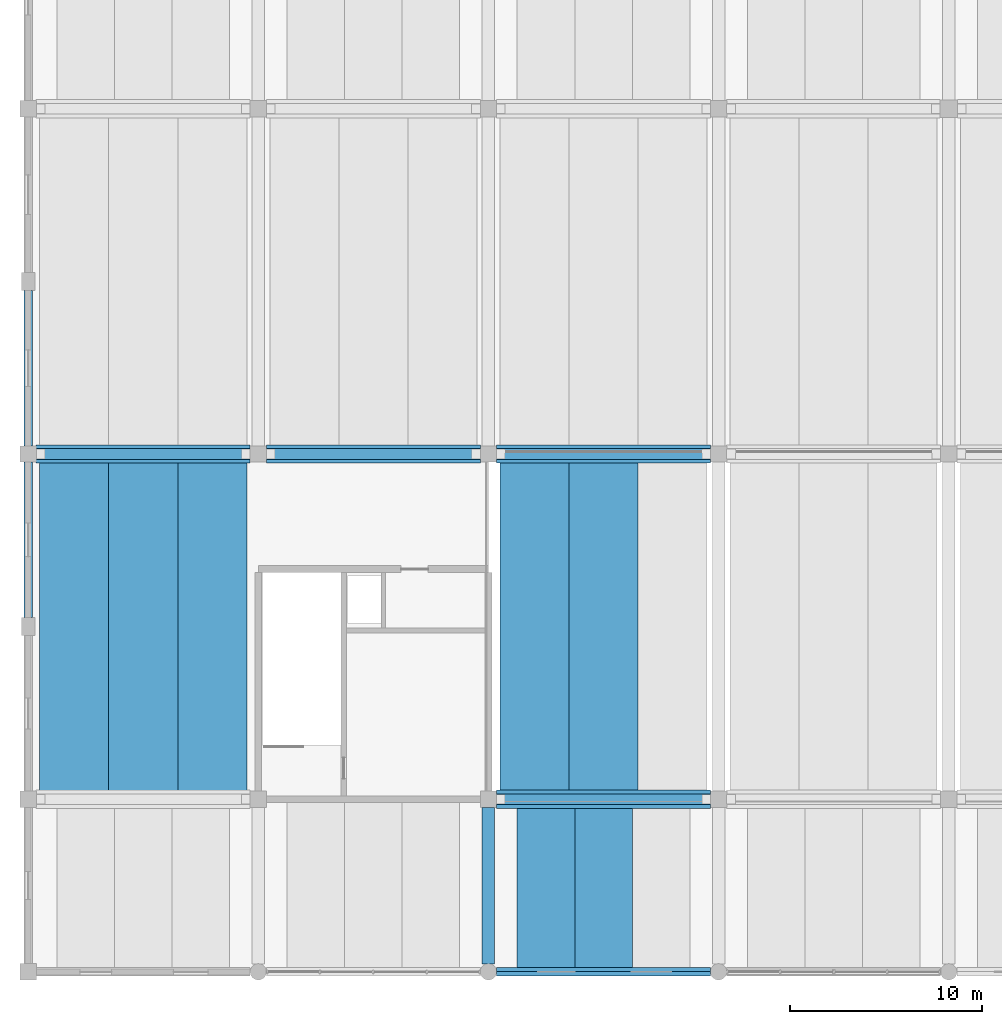
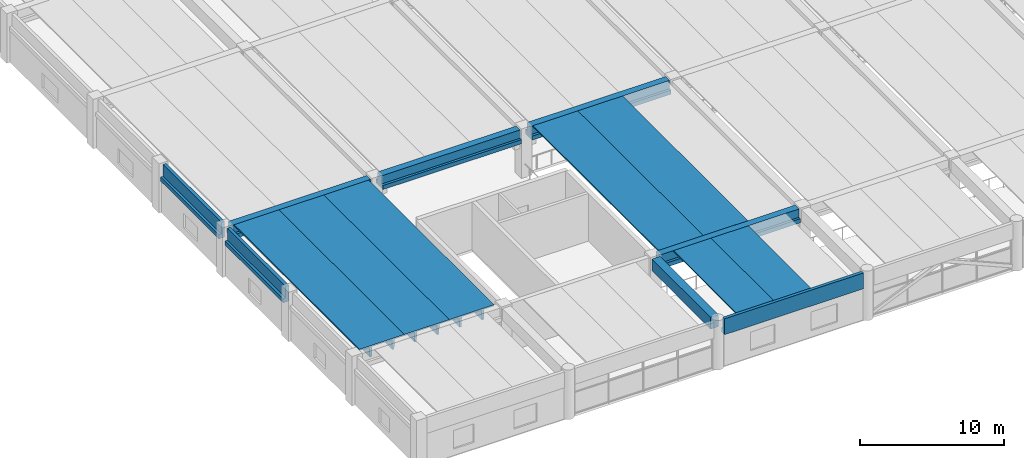
# One storey, part 5 of 50: 15 beams.
"""IFC4 building model written with IfcOpenShell, lengths in metres."""

from ifc_helpers import new_model, si_unit, direction, frame, origin, origin_2d, place, context, subcontext, project, spatial, polyline, rectangle, outline, extrude, material, material_profile, profile_set, type_object, element, save


model = new_model("IFC4")

# Units and contexts
model_context = context("Model", 3, precision=1e-05, world=origin(), true_north=direction((0.0, 1.0)))
body_context = subcontext(model_context, "Body", "Model", "MODEL_VIEW")
ifc_project = project(units=[si_unit("LENGTHUNIT", "METRE"), si_unit("AREAUNIT", "SQUARE_METRE"), si_unit("VOLUMEUNIT", "CUBIC_METRE"), si_unit("PLANEANGLEUNIT", "RADIAN"), si_unit("MASSUNIT", "GRAM", prefix="KILO")], contexts=[model_context])

# Site, building, storey
site_placement = place(None, origin())
site = spatial("IfcSite", under=ifc_project, at=site_placement, CompositionType="ELEMENT")
building_placement = place(site_placement, origin())
building = spatial("IfcBuilding", under=site, at=building_placement, Name="Girod Span Mobility Hub", CompositionType="ELEMENT")
storey_placement = place(building_placement, frame((0.0, 0.0, 5.39990234375)))
storey = spatial("IfcBuildingStorey", under=building, at=storey_placement, Name="L01", CompositionType="ELEMENT", Elevation=5.39990234375)

# Beams
ifc_material_1 = material(Name="Concrete C50/60", Category="concrete")
ifc_material_profile_1 = material_profile(ifc_material_1, outline(polyline([(-1.5, 0.35009765625), (-1.5, 0.2548828125), (-0.840087890625, 0.2548828125), (-0.81494140625, -0.35009765625), (-0.68505859375, -0.35009765625), (-0.659912109375, 0.2548828125), (0.659912109375, 0.2548828125), (0.68505859375, -0.35009765625), (0.81494140625, -0.35009765625), (0.840087890625, 0.2548828125), (1.5, 0.2548828125), (1.5, 0.35009765625), (-1.5, 0.35009765625)])), Name="DT-3000X700")
ifc_profile_set_1 = profile_set([ifc_material_profile_1], Name="Concrete C50/60")
beam_type_1 = type_object("IfcBeamType", Name="BM-DT-3000X700", PredefinedType="JOIST", material=ifc_profile_set_1)
for number, where, z_axis, x_axis, name in (
    (1, (27.0, 0.02197265625, 3.690185546875), (0.0, 1.0, 0.0), (-1.0, 0.0, 0.0), "Double-Tee Deck 3/A-1 L01"),
    (2, (30.0, 0.02197265625, 3.690185546875), (0.0, 1.0, 0.0), (-1.0, 0.0, 0.0), "Double-Tee Deck 3/A-2 L01"),
):
    element("IfcBeam", number, at=place(storey_placement, frame(where, z_axis=z_axis, x_axis=x_axis)), inside=storey, type_object=beam_type_1, Name=name, PredefinedType="JOIST", context=body_context, shape_type="SweptSolid", body=[
        extrude(outline(polyline([(-1.5, 0.35009765625), (-1.5, 0.2548828125), (-0.840087890625, 0.2548828125), (-0.81494140625, -0.35009765625), (-0.68505859375, -0.35009765625), (-0.659912109375, 0.2548828125), (0.659912109375, 0.2548828125), (0.68505859375, -0.35009765625), (0.81494140625, -0.35009765625), (0.840087890625, 0.2548828125), (1.5, 0.2548828125), (1.5, 0.35009765625), (-1.5, 0.35009765625)])), origin(), (0.0, 0.0, 1.0), 8.7060546875),
    ])
ifc_material_2 = material(Name="Concrete C50/60", Category="concrete")
ifc_material_profile_2 = material_profile(ifc_material_2, outline(polyline([(-1.800048828125, 0.47509765625), (-1.800048828125, 0.364990234375), (-1.010009765625, 0.364990234375), (-0.97509765625, -0.47509765625), (-0.824951171875, -0.47509765625), (-0.7900390625, 0.364990234375), (0.7900390625, 0.364990234375), (0.824951171875, -0.47509765625), (0.97509765625, -0.47509765625), (1.010009765625, 0.364990234375), (1.800048828125, 0.364990234375), (1.800048828125, 0.47509765625), (-1.800048828125, 0.47509765625)])), Name="DT-3600X950")
ifc_profile_set_2 = profile_set([ifc_material_profile_2], Name="Concrete C50/60")
beam_type_2 = type_object("IfcBeamType", Name="BM-DT-3600X950", PredefinedType="JOIST", material=ifc_profile_set_2)
for number, where, z_axis, x_axis, name in (
    (3, (2.39990234375, 9.27197265625, 3.565185546875), (0.0, 1.0, 0.0), (-1.0, 0.0, 0.0), "Double-Tee Deck 1/B-1 L01"),
    (4, (6.0, 9.27197265625, 3.565185546875), (0.0, 1.0, 0.0), (-1.0, 0.0, 0.0), "Double-Tee Deck 1/B-2 L01"),
    (5, (9.60009765625, 9.27197265625, 3.565185546875), (0.0, 1.0, 0.0), (-1.0, 0.0, 0.0), "Double-Tee Deck 1/B-3 L01"),
    (6, (26.39990234375, 9.27197265625, 3.565185546875), (0.0, 1.0, 0.0), (-1.0, 0.0, 0.0), "Double-Tee Deck 3/B-1 L01"),
    (7, (30.0, 9.27197265625, 3.565185546875), (0.0, 1.0, 0.0), (-1.0, 0.0, 0.0), "Double-Tee Deck 3/B-2 L01"),
):
    element("IfcBeam", number, at=place(storey_placement, frame(where, z_axis=z_axis, x_axis=x_axis)), inside=storey, type_object=beam_type_2, Name=name, PredefinedType="JOIST", context=body_context, shape_type="SweptSolid", body=[
        extrude(outline(polyline([(-1.800048828125, 0.47509765625), (-1.800048828125, 0.364990234375), (-1.010009765625, 0.364990234375), (-0.97509765625, -0.47509765625), (-0.824951171875, -0.47509765625), (-0.7900390625, 0.364990234375), (0.7900390625, 0.364990234375), (0.824951171875, -0.47509765625), (0.97509765625, -0.47509765625), (1.010009765625, 0.364990234375), (1.800048828125, 0.364990234375), (1.800048828125, 0.47509765625), (-1.800048828125, 0.47509765625)])), origin(), (0.0, 0.0, 1.0), 17.4560546875),
    ])
ifc_material_3 = material(Name="Concrete C50/60", Category="concrete")
ifc_material_profile_3 = material_profile(ifc_material_3, outline(polyline([(-0.47509765625, -0.52490234375), (0.47509765625, -0.52490234375), (0.47509765625, -0.175048828125), (0.27490234375, -0.175048828125), (0.27490234375, 0.52490234375), (-0.27490234375, 0.52490234375), (-0.27490234375, -0.175048828125), (-0.47509765625, -0.175048828125), (-0.47509765625, -0.52490234375)])), Name="IT-950X1050")
ifc_profile_set_3 = profile_set([ifc_material_profile_3], Name="Concrete C50/60")
beam_type_3 = type_object("IfcBeamType", Name="BM-IT-950X1050", PredefinedType="T_BEAM", material=ifc_profile_set_3)
for number, where, z_axis, x_axis, name in (
    (8, (24.422119140625, 9.0, 3.51513671875), (1.0, 0.0, 0.0), (0.0, 1.0, 0.0), "Girder 3-4/B L01"),
    (9, (0.422119140625, 27.0, 3.51513671875), (1.0, 0.0, 0.0), (0.0, 1.0, 0.0), "Girder 1-2/C L01"),
    (10, (12.422119140625, 27.0, 3.51513671875), (1.0, 0.0, 0.0), (0.0, 1.0, 0.0), "Girder 2-3/C L01"),
    (11, (24.422119140625, 27.0, 3.51513671875), (1.0, 0.0, 0.0), (0.0, 1.0, 0.0), "Girder 3-4/C L01"),
):
    element("IfcBeam", number, at=place(storey_placement, frame(where, z_axis=z_axis, x_axis=x_axis)), inside=storey, type_object=beam_type_3, Name=name, PredefinedType="T_BEAM", context=body_context, shape_type="SweptSolid", body=[
        extrude(outline(polyline([(-0.47509765625, -0.52490234375), (0.47509765625, -0.52490234375), (0.47509765625, -0.175048828125), (0.27490234375, -0.175048828125), (0.27490234375, 0.52490234375), (-0.27490234375, 0.52490234375), (-0.27490234375, -0.175048828125), (-0.47509765625, -0.175048828125), (-0.47509765625, -0.52490234375)])), origin(), (0.0, 0.0, 1.0), 11.15576171875),
    ])
ifc_material_4 = material(Name="Concrete C40/50", Category="concrete")
ifc_material_profile_4 = material_profile(ifc_material_4, outline(polyline([(-0.22509765625, -0.675048828125), (0.22509765625, -0.675048828125), (0.22509765625, -0.324951171875), (0.02490234375, -0.324951171875), (0.02490234375, 0.675048828125), (-0.22509765625, 0.675048828125), (-0.22509765625, -0.675048828125)])), Name="SP-450X1350")
ifc_profile_set_4 = profile_set([ifc_material_profile_4], Name="Concrete C40/50")
beam_type_4 = type_object("IfcBeamType", Name="BM-SP-450X1350", PredefinedType="SPANDREL", material=ifc_profile_set_4)
beam_1_placement = place(storey_placement, frame((24.422119140625, 0.0, 3.364990234375), z_axis=(1.0, 0.0, 0.0), x_axis=(0.0, 1.0, 0.0)))
element("IfcBeam", 12, at=beam_1_placement, inside=storey, type_object=beam_type_4, Name="Girder 3-4/A L01", PredefinedType="SPANDREL", context=body_context, shape_type="SweptSolid", body=[
    extrude(outline(polyline([(-0.22509765625, -0.675048828125), (0.22509765625, -0.675048828125), (0.22509765625, -0.324951171875), (0.02490234375, -0.324951171875), (0.02490234375, 0.675048828125), (-0.22509765625, 0.675048828125), (-0.22509765625, -0.675048828125)])), origin(), (0.0, 0.0, 1.0), 11.15576171875),
])
for number, where, z_axis, x_axis, name in (
    (13, (0.0, 18.471923828125, 3.364990234375), (0.0, 1.0, 0.0), (-1.0, 0.0, 0.0), "Perimeter Spandrel 1/B-N L01"),
    (14, (0.0, 27.422119140625, 3.364990234375), (0.0, 1.0, 0.0), (-1.0, 0.0, 0.0), "Perimeter Spandrel 1/C-S L01"),
):
    element("IfcBeam", number, at=place(storey_placement, frame(where, z_axis=z_axis, x_axis=x_axis)), inside=storey, type_object=beam_type_4, Name=name, PredefinedType="SPANDREL", context=body_context, shape_type="SweptSolid", body=[
        extrude(outline(polyline([(-0.22509765625, -0.675048828125), (0.22509765625, -0.675048828125), (0.22509765625, -0.324951171875), (0.02490234375, -0.324951171875), (0.02490234375, 0.675048828125), (-0.22509765625, 0.675048828125), (-0.22509765625, -0.675048828125)])), origin(), (0.0, 0.0, 1.0), 8.10595703125),
    ])
ifc_material_5 = material(Name="Concrete C40/50", Category="concrete")
ifc_material_profile_5 = material_profile(ifc_material_5, rectangle(XDim=0.64990234375, YDim=1.0, at=origin_2d()), Name="TG-650X1000")
ifc_profile_set_5 = profile_set([ifc_material_profile_5], Name="Concrete C40/50")
beam_type_5 = type_object("IfcBeamType", Name="BM-TG-650X1000", PredefinedType="T_BEAM", material=ifc_profile_set_5)
beam_2_placement = place(storey_placement, frame((24.0, 0.422119140625, 3.5400390625), z_axis=(0.0, 1.0, 0.0), x_axis=(-1.0, 0.0, 0.0)))
element("IfcBeam", 15, at=beam_2_placement, inside=storey, type_object=beam_type_5, Name="Tie Girder 3/A-B L01", PredefinedType="T_BEAM", context=body_context, shape_type="SweptSolid", body=[
    extrude(rectangle(XDim=0.64990234375, YDim=1.0, at=origin_2d()), origin(), (0.0, 0.0, 1.0), 8.15576171875),
])

save(model, "model.ifc")
